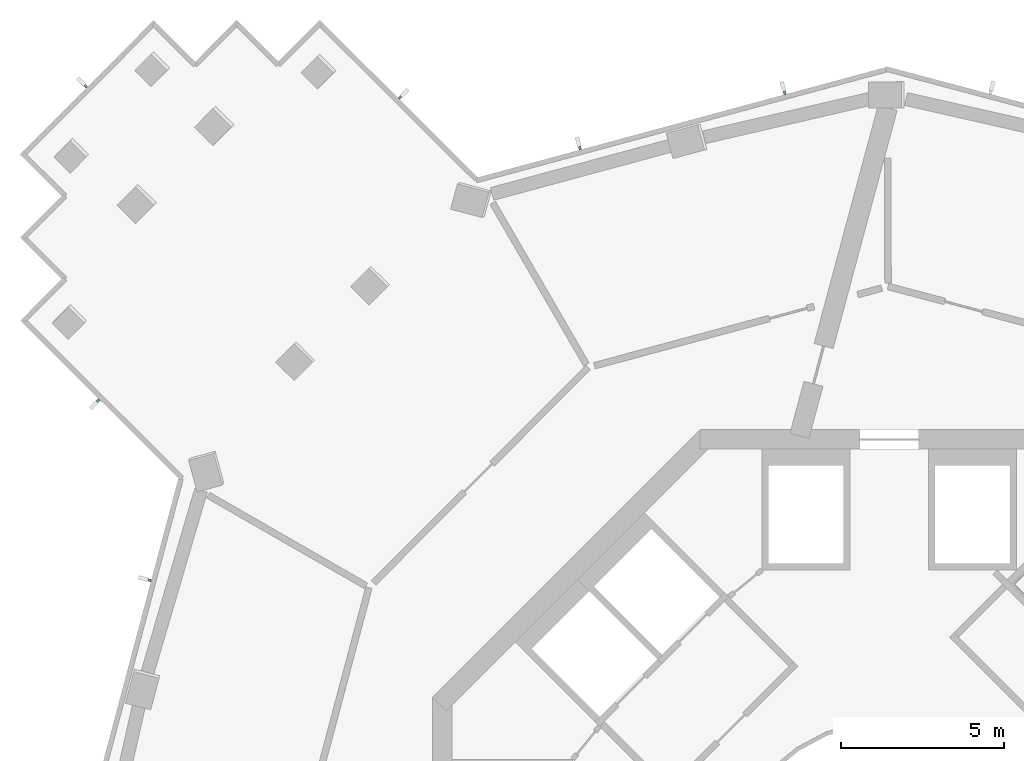
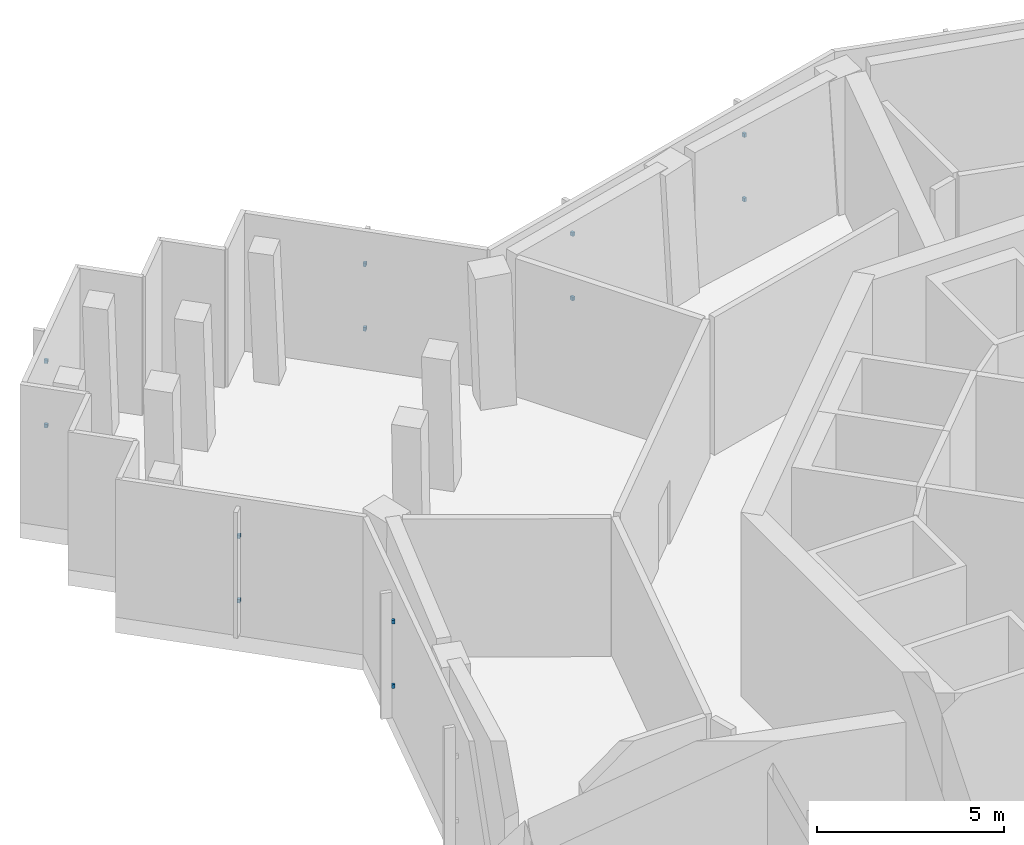
# One storey, part 9 of 16: 12 discrete accessories.
"""IFC4 building model written with IfcOpenShell, lengths in metres."""

from ifc_helpers import new_model, si_unit, direction, frame, origin, origin_2d, place, context, subcontext, project, spatial, rectangle, extrude, element, save


model = new_model("IFC4")

# Units and contexts
model_context = context("Model", 3, precision=1e-05, world=origin(), true_north=direction((0.0, 1.0)))
body_context = subcontext(model_context, "Body", "Model", "MODEL_VIEW")
ifc_project = project(units=[si_unit("LENGTHUNIT", "METRE"), si_unit("AREAUNIT", "SQUARE_METRE"), si_unit("VOLUMEUNIT", "CUBIC_METRE"), si_unit("PLANEANGLEUNIT", "RADIAN"), si_unit("MASSUNIT", "GRAM", prefix="KILO")], contexts=[model_context])

# Site, building, storey
site_placement = place(None, origin())
site = spatial("IfcSite", under=ifc_project, at=site_placement, CompositionType="ELEMENT")
building_placement = place(site_placement, origin())
building = spatial("IfcBuilding", under=site, at=building_placement, Name="Verdalira Terraces Hotel", CompositionType="ELEMENT")
storey_placement = place(building_placement, frame((0.0, 0.0, 216.0)))
storey = spatial("IfcBuildingStorey", under=building, at=storey_placement, Name="L53", CompositionType="ELEMENT", Elevation=216.0)

# Discrete accessories
for number, where, z_axis, x_axis, name in (
    (1, (-14.989258, 24.17041, 1.139893), (0.0, 0.0, 1.0), (-0.70858619, 0.70562427, 0.0), "Fin bracket"),
    (2, (-14.989258, 24.17041, 3.23999), (0.0, 0.0, 1.0), (-0.70858619, 0.70562427, 0.0), "Fin bracket"),
    (3, (-24.619629, 24.516602, 1.139893), (0.0, 0.0, 1.0), (-0.70562427, -0.70858619, 0.0), "Fin bracket"),
    (4, (-24.619629, 24.516602, 3.23999), (0.0, 0.0, 1.0), (-0.70562427, -0.70858619, 0.0), "Fin bracket"),
    (5, (-24.23291, 14.887939, 1.139893), (0.0, 0.0, 1.0), (0.70858619, -0.70562427, 0.0), "Fin bracket"),
    (6, (-24.23291, 14.887939, 3.23999), (0.0, 0.0, 1.0), (0.70858619, -0.70562427, 0.0), "Fin bracket"),
    (7, (-22.658691, 9.383301, 1.139893), (0.0, 0.0, 1.0), (-0.256795449, -0.966465777, 0.0), "Fin bracket"),
    (8, (-22.658691, 9.383301, 3.23999), (0.0, 0.0, 1.0), (-0.256795449, -0.966465777, 0.0), "Fin bracket"),
    (9, (-3.203125, 24.314453, 1.139893), (0.0, 0.0, 1.0), (-0.965381639, -0.260841506, 0.0), "Fin bracket"),
    (10, (-3.203125, 24.314453, 3.23999), (0.0, 0.0, 1.0), (-0.965381639, -0.260841506, 0.0), "Fin bracket"),
    (11, (-9.478027, 22.619141, 1.139893), (0.0, 0.0, 1.0), (-0.965381639, -0.260841506, 0.0), "Fin bracket"),
    (12, (-9.478027, 22.619141, 3.23999), (0.0, 0.0, 1.0), (-0.965381639, -0.260841506, 0.0), "Fin bracket"),
):
    element("IfcDiscreteAccessory", number, at=place(storey_placement, frame(where, z_axis=z_axis, x_axis=x_axis)), inside=storey, Name=name, PredefinedType="BRACKET", context=body_context, shape_type="SweptSolid", body=[
        extrude(rectangle(XDim=0.080078, YDim=0.100098, at=origin_2d()), origin(), (0.0, 0.0, 1.0), 0.120117),
    ])

save(model, "model.ifc")
